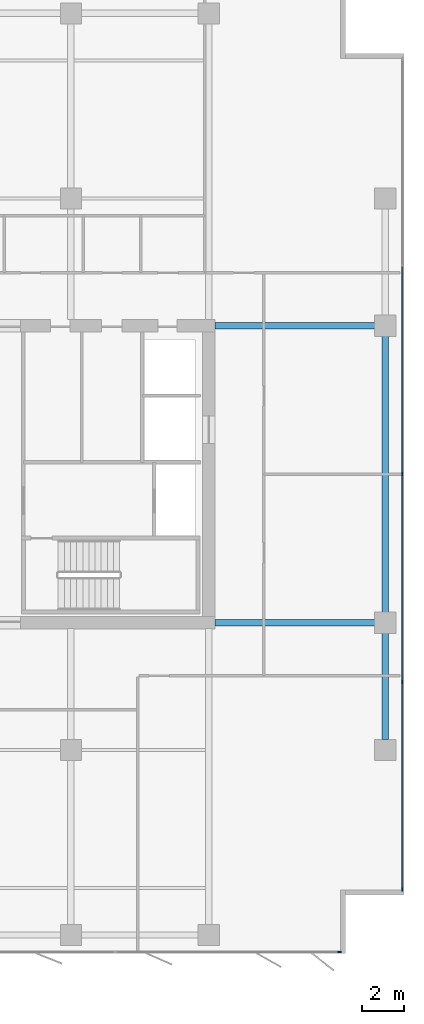
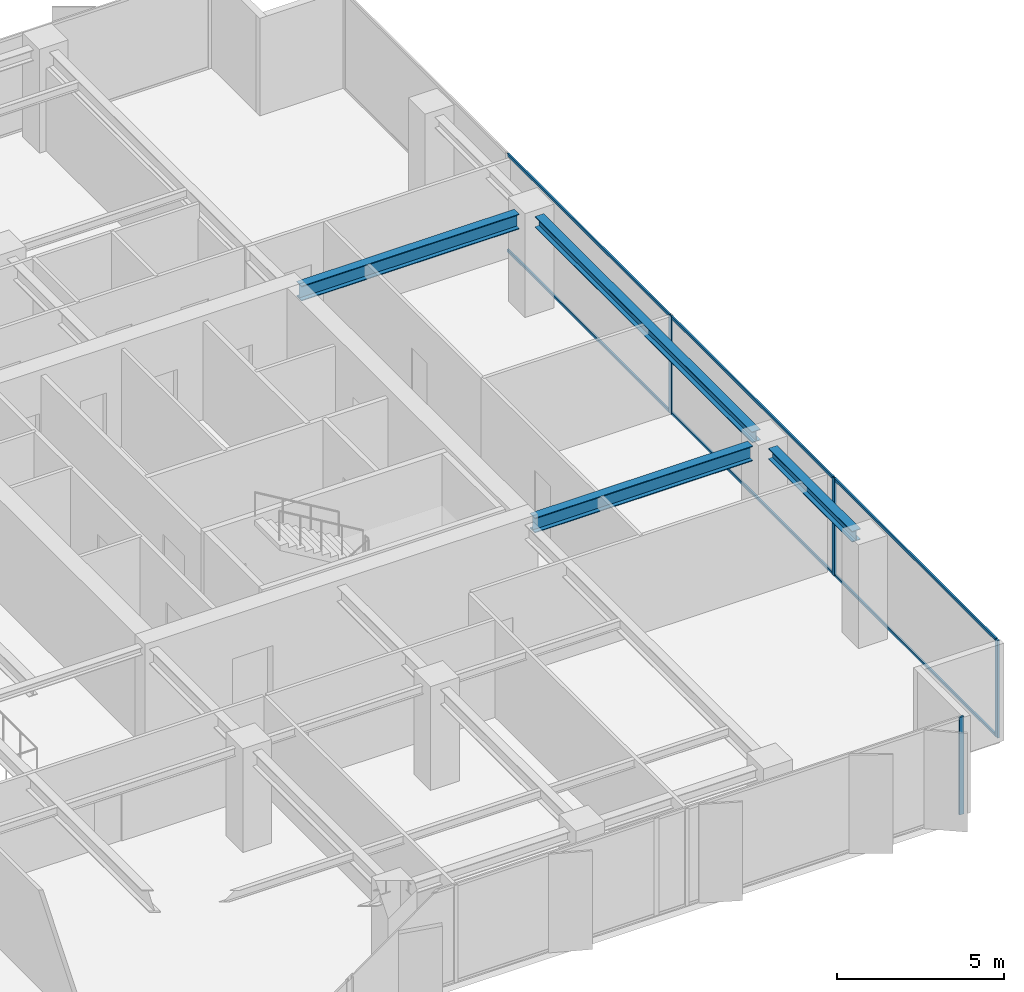
# One storey, part 12 of 22: 10 members, 4 beams, 2 elements without a shape of their own.
"""IFC4 building model written with IfcOpenShell, lengths in metres."""

from ifc_helpers import new_model, si_unit, direction, frame, origin, origin_2d, place, context, subcontext, project, spatial, rectangle, i_section, extrude, material, layer, layer_set, material_profile, profile_set, type_object, element, aggregate, save


model = new_model("IFC4")

# Units and contexts
model_context = context("Model", 3, precision=1e-05, world=origin(), true_north=direction((0.0, 1.0)))
body_context = subcontext(model_context, "Body", "Model", "MODEL_VIEW")
ifc_project = project(units=[si_unit("LENGTHUNIT", "METRE"), si_unit("AREAUNIT", "SQUARE_METRE"), si_unit("VOLUMEUNIT", "CUBIC_METRE"), si_unit("PLANEANGLEUNIT", "RADIAN"), si_unit("MASSUNIT", "GRAM", prefix="KILO")], contexts=[model_context])

# Site, building, storey
site_placement = place(None, origin())
site = spatial("IfcSite", under=ifc_project, at=site_placement, CompositionType="ELEMENT")
building_placement = place(site_placement, origin())
building = spatial("IfcBuilding", under=site, at=building_placement, Name="Putna Gate Headquarters", CompositionType="ELEMENT")
storey_placement = place(building_placement, frame((0.0, 0.0, 170.800048828125)))
storey = spatial("IfcBuildingStorey", under=building, at=storey_placement, Name="L42", CompositionType="ELEMENT", Elevation=170.800048828125)

# Beams
ifc_material_1 = material(Name="Steel S355J2", Category="steel")
ifc_material_profile_1 = material_profile(ifc_material_1, i_section(OverallWidth=0.300048828125, OverallDepth=0.550048828125, WebThickness=0.014892578125, FlangeThickness=0.029052734375, at=origin_2d()), Name="Steel S355J2")
ifc_profile_set_1 = profile_set([ifc_material_profile_1], Name="Steel S355J2")
beam_type_1 = type_object("IfcBeamType", Name="BM-GIRD-Z3-HEB550", PredefinedType="USERDEFINED", material=ifc_profile_set_1)
for number, where, z_axis, x_axis, name in (
    (1, (65.284912109375, 19.0, 3.296875), (1.0, 0.0, 0.0), (0.0, 1.0, 0.0), "L42 East Wing Girder Y19"),
    (2, (65.284912109375, 33.0, 3.296875), (1.0, 0.0, 0.0), (0.0, 1.0, 0.0), "L42 East Wing Girder Y33"),
):
    element("IfcBeam", number, at=place(storey_placement, frame(where, z_axis=z_axis, x_axis=x_axis)), inside=storey, type_object=beam_type_1, Name=name, ObjectType="GIRDER", PredefinedType="USERDEFINED", context=body_context, shape_type="SweptSolid", body=[
        extrude(i_section(OverallWidth=0.300048828125, OverallDepth=0.550048828125, WebThickness=0.014892578125, FlangeThickness=0.029052734375, at=origin_2d()), origin(), (0.0, 0.0, 1.0), 7.547119140625),
    ])
ifc_material_profile_2 = material_profile(ifc_material_1, i_section(OverallWidth=0.300048828125, OverallDepth=0.39990234375, WebThickness=0.013427734375, FlangeThickness=0.02392578125, at=origin_2d()), Name="Steel S355J2")
ifc_profile_set_2 = profile_set([ifc_material_profile_2], Name="Steel S355J2")
beam_type_2 = type_object("IfcBeamType", Name="BM-SPAN-Z3-HEB400", PredefinedType="SPANDREL", material=ifc_profile_set_2)
beam_1_placement = place(storey_placement, frame((73.320068359375, 13.488037109375, 3.3720703125), z_axis=(0.0, 1.0, 0.0), x_axis=(-1.0, 0.0, 0.0)))
element("IfcBeam", 3, at=beam_1_placement, inside=storey, type_object=beam_type_2, Name="L42 E End Spandrel 1", PredefinedType="SPANDREL", context=body_context, shape_type="SweptSolid", body=[
    extrude(i_section(OverallWidth=0.300048828125, OverallDepth=0.39990234375, WebThickness=0.013427734375, FlangeThickness=0.02392578125, at=origin_2d()), origin(), (0.0, 0.0, 1.0), 5.02392578125),
])
beam_2_placement = place(storey_placement, frame((73.320068359375, 19.488037109375, 3.3720703125), z_axis=(0.0, 1.0, 0.0), x_axis=(-1.0, 0.0, 0.0)))
element("IfcBeam", 4, at=beam_2_placement, inside=storey, type_object=beam_type_2, Name="L42 E End Spandrel 2", PredefinedType="SPANDREL", context=body_context, shape_type="SweptSolid", body=[
    extrude(i_section(OverallWidth=0.300048828125, OverallDepth=0.39990234375, WebThickness=0.013427734375, FlangeThickness=0.02392578125, at=origin_2d()), origin(), (0.0, 0.0, 1.0), 13.02392578125),
])

# Curtain wall, member
ifc_material_2 = material(Name="Anodised bronze aluminium curtain wall", Category="aluminium")
ifc_layer = layer(ifc_material_2, 0.159912109375)
ifc_layer_set = layer_set([ifc_layer], Name="Anodised bronze aluminium curtain wall")
curtain_wall_type = type_object("IfcCurtainWallType", Name="CW-SYS-Z3", PredefinedType="USERDEFINED", material=ifc_layer_set)
curtain_wall_1_placement = place(storey_placement, origin())
curtain_wall_1 = element("IfcCurtainWall", 5, at=curtain_wall_1_placement, inside=storey, type_object=curtain_wall_type, Name="L42 South East Curtain Wall", ObjectType="STICK CURTAIN WALL", PredefinedType="USERDEFINED")
ifc_material_3 = material(Name="Anodised bronze aluminium EN AW-6060", Category="aluminium")
ifc_material_profile_3 = material_profile(ifc_material_3, rectangle(XDim=0.06494140625, YDim=0.159912109375, at=origin_2d()), Name="Anodised bronze aluminium EN AW-6060")
ifc_profile_set_3 = profile_set([ifc_material_profile_3], Name="Anodised bronze aluminium EN AW-6060")
member_type_1 = type_object("IfcMemberType", Name="MULL-CWM-3", PredefinedType="MULLION", material=ifc_profile_set_3)
member_1_placement = place(storey_placement, frame((71.16748046875, 3.47998046875, 0.0), z_axis=(0.0, 0.0, 1.0), x_axis=(0.0, 1.0, 0.0)))
member_1 = element("IfcMember", 6, at=member_1_placement, type_object=member_type_1, Name="CWS-3 mullion 3", PredefinedType="MULLION", context=body_context, shape_type="SweptSolid", body=[
    extrude(rectangle(XDim=0.06494140625, YDim=0.159912109375, at=origin_2d()), origin(), (0.0, 0.0, 1.0), 3.572021484375),
])
aggregate(curtain_wall_1, [member_1])

# Curtain wall, members
curtain_wall_2_placement = place(storey_placement, origin())
curtain_wall_2 = element("IfcCurtainWall", 7, at=curtain_wall_2_placement, inside=storey, type_object=curtain_wall_type, Name="L42 East Curtain Wall", ObjectType="STICK CURTAIN WALL", PredefinedType="USERDEFINED")
member_2_placement = place(storey_placement, frame((74.1201171875, 6.4326171875, 0.0), z_axis=(0.0, 0.0, 1.0), x_axis=(-1.0, 0.0, 0.0)))
member_2 = element("IfcMember", 8, at=member_2_placement, type_object=member_type_1, Name="CWS-3 mullion 1", PredefinedType="MULLION", context=body_context, shape_type="SweptSolid", body=[
    extrude(rectangle(XDim=0.06494140625, YDim=0.159912109375, at=origin_2d()), origin(), (0.0, 0.0, 1.0), 3.572021484375),
])
member_3_placement = place(storey_placement, frame((74.1201171875, 16.199951171875, 0.0), z_axis=(0.0, 0.0, 1.0), x_axis=(-1.0, 0.0, 0.0)))
member_3 = element("IfcMember", 9, at=member_3_placement, type_object=member_type_1, Name="CWS-3 mullion 2", PredefinedType="MULLION", context=body_context, shape_type="SweptSolid", body=[
    extrude(rectangle(XDim=0.06494140625, YDim=0.159912109375, at=origin_2d()), origin(), (0.0, 0.0, 1.0), 3.572021484375),
])
member_4_placement = place(storey_placement, frame((74.1201171875, 26.0, 0.0), z_axis=(0.0, 0.0, 1.0), x_axis=(-1.0, 0.0, 0.0)))
member_4 = element("IfcMember", 10, at=member_4_placement, type_object=member_type_1, Name="CWS-3 mullion 3", PredefinedType="MULLION", context=body_context, shape_type="SweptSolid", body=[
    extrude(rectangle(XDim=0.06494140625, YDim=0.159912109375, at=origin_2d()), origin(), (0.0, 0.0, 1.0), 3.572021484375),
])
ifc_material_profile_4 = material_profile(ifc_material_3, rectangle(XDim=0.06005859375, YDim=0.10009765625, at=origin_2d()), Name="Anodised bronze aluminium EN AW-6060")
ifc_profile_set_4 = profile_set([ifc_material_profile_4], Name="Anodised bronze aluminium EN AW-6060")
member_type_2 = type_object("IfcMemberType", Name="TRAN-CWT-3", PredefinedType="USERDEFINED", material=ifc_profile_set_4)
member_5_placement = place(storey_placement, frame((74.1201171875, 6.465087890625, 0.030029296875), z_axis=(0.0, 1.0, 0.0), x_axis=(-1.0, 0.0, 0.0)))
member_5 = element("IfcMember", 11, at=member_5_placement, type_object=member_type_2, Name="CWS-3 transom 1.1", ObjectType="TRANSOM", PredefinedType="USERDEFINED", context=body_context, shape_type="SweptSolid", body=[
    extrude(rectangle(XDim=0.06005859375, YDim=0.10009765625, at=origin_2d()), origin(), (0.0, 0.0, 1.0), 9.702392578125),
])
member_6_placement = place(storey_placement, frame((74.1201171875, 6.465087890625, 3.5419921875), z_axis=(0.0, 1.0, 0.0), x_axis=(-1.0, 0.0, 0.0)))
member_6 = element("IfcMember", 12, at=member_6_placement, type_object=member_type_2, Name="CWS-3 transom 1.2", ObjectType="TRANSOM", PredefinedType="USERDEFINED", context=body_context, shape_type="SweptSolid", body=[
    extrude(rectangle(XDim=0.06005859375, YDim=0.10009765625, at=origin_2d()), origin(), (0.0, 0.0, 1.0), 9.702392578125),
])
member_7_placement = place(storey_placement, frame((74.1201171875, 16.232421875, 0.030029296875), z_axis=(0.0, 1.0, 0.0), x_axis=(-1.0, 0.0, 0.0)))
member_7 = element("IfcMember", 13, at=member_7_placement, type_object=member_type_2, Name="CWS-3 transom 2.1", ObjectType="TRANSOM", PredefinedType="USERDEFINED", context=body_context, shape_type="SweptSolid", body=[
    extrude(rectangle(XDim=0.06005859375, YDim=0.10009765625, at=origin_2d()), origin(), (0.0, 0.0, 1.0), 9.735107421875),
])
member_8_placement = place(storey_placement, frame((74.1201171875, 16.232421875, 3.5419921875), z_axis=(0.0, 1.0, 0.0), x_axis=(-1.0, 0.0, 0.0)))
member_8 = element("IfcMember", 14, at=member_8_placement, type_object=member_type_2, Name="CWS-3 transom 2.2", ObjectType="TRANSOM", PredefinedType="USERDEFINED", context=body_context, shape_type="SweptSolid", body=[
    extrude(rectangle(XDim=0.06005859375, YDim=0.10009765625, at=origin_2d()), origin(), (0.0, 0.0, 1.0), 9.735107421875),
])
member_9_placement = place(storey_placement, frame((74.1201171875, 26.032470703125, 0.030029296875), z_axis=(0.0, 1.0, 0.0), x_axis=(-1.0, 0.0, 0.0)))
member_9 = element("IfcMember", 15, at=member_9_placement, type_object=member_type_2, Name="CWS-3 transom 3.1", ObjectType="TRANSOM", PredefinedType="USERDEFINED", context=body_context, shape_type="SweptSolid", body=[
    extrude(rectangle(XDim=0.06005859375, YDim=0.10009765625, at=origin_2d()), origin(), (0.0, 0.0, 1.0), 9.735107421875),
])
member_10_placement = place(storey_placement, frame((74.1201171875, 26.032470703125, 3.5419921875), z_axis=(0.0, 1.0, 0.0), x_axis=(-1.0, 0.0, 0.0)))
member_10 = element("IfcMember", 16, at=member_10_placement, type_object=member_type_2, Name="CWS-3 transom 3.2", ObjectType="TRANSOM", PredefinedType="USERDEFINED", context=body_context, shape_type="SweptSolid", body=[
    extrude(rectangle(XDim=0.06005859375, YDim=0.10009765625, at=origin_2d()), origin(), (0.0, 0.0, 1.0), 9.735107421875),
])
aggregate(curtain_wall_2, [member_2, member_3, member_4, member_5, member_6, member_7, member_8, member_9, member_10])

save(model, "model.ifc")
